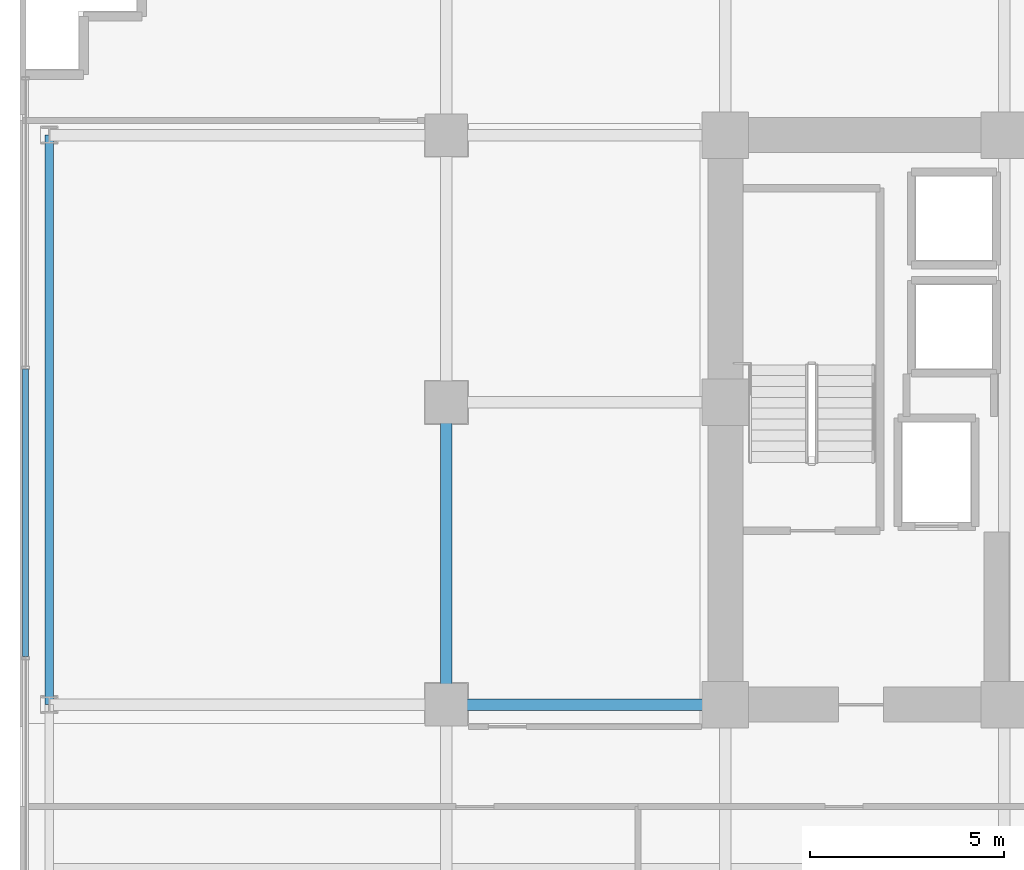
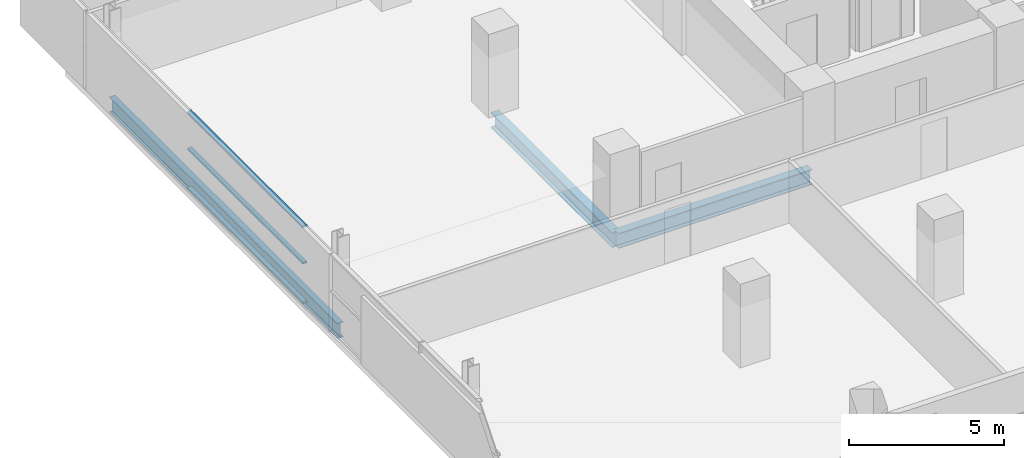
# One storey, part 9 of 30: 3 beams, 3 members, 1 element without a shape of its own.
"""IFC4 building model written with IfcOpenShell, lengths in metres."""

from ifc_helpers import new_model, si_unit, direction, frame, origin, origin_2d, place, context, subcontext, project, spatial, hollow_rectangle, i_section, extrude, source, transform, mapped, material, layer, layer_set, material_profile, profile_set, type_object, element, aggregate, save


model = new_model("IFC4")

# Units and contexts
model_context = context("Model", 3, precision=1e-05, world=origin(), true_north=direction((0.0, 1.0)))
body_context = subcontext(model_context, "Body", "Model", "MODEL_VIEW")
ifc_project = project(units=[si_unit("LENGTHUNIT", "METRE"), si_unit("AREAUNIT", "SQUARE_METRE"), si_unit("VOLUMEUNIT", "CUBIC_METRE"), si_unit("PLANEANGLEUNIT", "RADIAN"), si_unit("MASSUNIT", "GRAM", prefix="KILO")], contexts=[model_context])

# Site, building, storey
site_placement = place(None, origin())
site = spatial("IfcSite", under=ifc_project, at=site_placement, CompositionType="ELEMENT")
building_placement = place(site_placement, origin())
building = spatial("IfcBuilding", under=site, at=building_placement, Name="Zarnakvel Exchange Tower", CompositionType="ELEMENT")
storey_placement = place(building_placement, frame((0.0, 0.0, 30.699951171875)))
storey = spatial("IfcBuildingStorey", under=building, at=storey_placement, Name="L07", CompositionType="ELEMENT", Elevation=30.699951171875)

# Beams
ifc_material_1 = material(Name="Steel S355", Category="steel")
ifc_material_profile_1 = material_profile(ifc_material_1, i_section(OverallWidth=0.300048828125, OverallDepth=0.60009765625, WebThickness=0.015380859375, FlangeThickness=0.030029296875, FilletRadius=0.027099609375, at=origin_2d()))
ifc_profile_set_1 = profile_set([ifc_material_profile_1], Name="Steel S355")
beam_type_1 = type_object("IfcBeamType", Name="G-04", PredefinedType="BEAM", material=ifc_profile_set_1)
beam_1_placement = place(storey_placement, frame((-21.60009765625, -1.199951171875, -0.52490234375), z_axis=(1.0, 0.0, 0.0), x_axis=(0.0, 1.0, 0.0)))
element("IfcBeam", 1, at=beam_1_placement, inside=storey, type_object=beam_type_1, Name="L07 Tower E-W Frame Beam", PredefinedType="BEAM", context=body_context, shape_type="SweptSolid", body=[
    extrude(i_section(OverallWidth=0.300048828125, OverallDepth=0.60009765625, WebThickness=0.015380859375, FlangeThickness=0.030029296875, FilletRadius=0.027099609375, at=origin_2d()), origin(), (0.0, 0.0, 1.0), 7.2001953125),
])
beam_2_placement = place(storey_placement, frame((-21.60009765625, -1.199951171875, -0.52490234375), z_axis=(0.0, 1.0, 0.0), x_axis=(-1.0, 0.0, 0.0)))
element("IfcBeam", 2, at=beam_2_placement, inside=storey, type_object=beam_type_1, Name="L07 Tower N-S Frame Beam", PredefinedType="BEAM", context=body_context, shape_type="SweptSolid", body=[
    extrude(i_section(OverallWidth=0.300048828125, OverallDepth=0.60009765625, WebThickness=0.015380859375, FlangeThickness=0.030029296875, FilletRadius=0.027099609375, at=origin_2d()), origin(), (0.0, 0.0, 1.0), 7.800048828125),
])
ifc_material_profile_2 = material_profile(ifc_material_1, i_section(OverallWidth=0.219970703125, OverallDepth=0.60009765625, WebThickness=0.011962890625, FlangeThickness=0.01904296875, FilletRadius=0.02392578125, at=origin_2d()))
ifc_profile_set_2 = profile_set([ifc_material_profile_2], Name="Steel S355")
beam_type_2 = type_object("IfcBeamType", Name="SP-01", PredefinedType="SPANDREL", material=ifc_profile_set_2)
beam_3_placement = place(storey_placement, frame((-31.85009765625, -1.199951171875, -0.52490234375), z_axis=(0.0, 1.0, 0.0), x_axis=(-1.0, 0.0, 0.0)))
element("IfcBeam", 3, at=beam_3_placement, inside=storey, type_object=beam_type_2, Name="L07 Tower N-S Frame Beam", PredefinedType="SPANDREL", context=body_context, shape_type="SweptSolid", body=[
    extrude(i_section(OverallWidth=0.219970703125, OverallDepth=0.60009765625, WebThickness=0.011962890625, FlangeThickness=0.01904296875, FilletRadius=0.02392578125, at=origin_2d()), origin(), (0.0, 0.0, 1.0), 14.699951171875),
])

# Curtain wall, members
ifc_material_2 = material(Name="Architectural Bronze Anodised Aluminium", Category="aluminium")
ifc_layer = layer(ifc_material_2, 0.199951171875)
ifc_layer_set = layer_set([ifc_layer], Name="Architectural Bronze Anodised Aluminium")
curtain_wall_type = type_object("IfcCurtainWallType", Name="CW-04", PredefinedType="NOTDEFINED", material=ifc_layer_set)
curtain_wall_placement = place(storey_placement, origin())
curtain_wall = element("IfcCurtainWall", 4, at=curtain_wall_placement, inside=storey, type_object=curtain_wall_type, Name="L07 Curtain Wall CW-L07-W1 (CW-04)", PredefinedType="NOTDEFINED")
ifc_material_profile_3 = material_profile(ifc_material_2, hollow_rectangle(XDim=0.159912109375, YDim=0.074951171875, WallThickness=0.00390625, at=origin_2d()))
ifc_profile_set_3 = profile_set([ifc_material_profile_3], Name="Architectural Bronze Anodised Aluminium")
member_type = type_object("IfcMemberType", Name="CWT-04", PredefinedType="USERDEFINED", material=ifc_profile_set_3)
shared_shape = source(origin(), body_context, "Body", "SweptSolid", [
    extrude(hollow_rectangle(XDim=0.159912109375, YDim=0.074951171875, WallThickness=0.00390625, at=origin_2d()), origin(), (0.0, 0.0, 1.0), 7.4248046875),
])
member_1_placement = place(storey_placement, frame((-32.4599609375, 0.03759765625, 0.03759765625), z_axis=(0.0, 1.0, 0.0), x_axis=(-1.0, 0.0, 0.0)))
member_1 = element("IfcMember", 5, at=member_1_placement, type_object=member_type, Name="CW-04 transom 3.1", ObjectType="TRANSOM", PredefinedType="USERDEFINED", context=body_context, shape_type="MappedRepresentation", body=[
    mapped(shared_shape, transform((0.0, 0.0, 0.0), x_axis=(1.0, 0.0, 0.0), y_axis=(0.0, 1.0, 0.0), z_axis=(0.0, 0.0, 1.0), scale=1.0)),
])
member_2_placement = place(storey_placement, frame((-32.4599609375, 0.03759765625, 1.588623046875), z_axis=(0.0, 1.0, 0.0), x_axis=(-1.0, 0.0, 0.0)))
member_2 = element("IfcMember", 6, at=member_2_placement, type_object=member_type, Name="CW-04 transom 3.2", ObjectType="TRANSOM", PredefinedType="USERDEFINED", context=body_context, shape_type="MappedRepresentation", body=[
    mapped(shared_shape, transform((0.0, 0.0, 0.0), x_axis=(1.0, 0.0, 0.0), y_axis=(0.0, 1.0, 0.0), z_axis=(0.0, 0.0, 1.0), scale=1.0)),
])
member_3_placement = place(storey_placement, frame((-32.4599609375, 0.03759765625, 3.017578125), z_axis=(0.0, 1.0, 0.0), x_axis=(-1.0, 0.0, 0.0)))
member_3 = element("IfcMember", 7, at=member_3_placement, type_object=member_type, Name="CW-04 transom 3.3", ObjectType="TRANSOM", PredefinedType="USERDEFINED", context=body_context, shape_type="MappedRepresentation", body=[
    mapped(shared_shape, transform((0.0, 0.0, 0.0), x_axis=(1.0, 0.0, 0.0), y_axis=(0.0, 1.0, 0.0), z_axis=(0.0, 0.0, 1.0), scale=1.0)),
])
aggregate(curtain_wall, [member_1, member_2, member_3])

save(model, "model.ifc")
